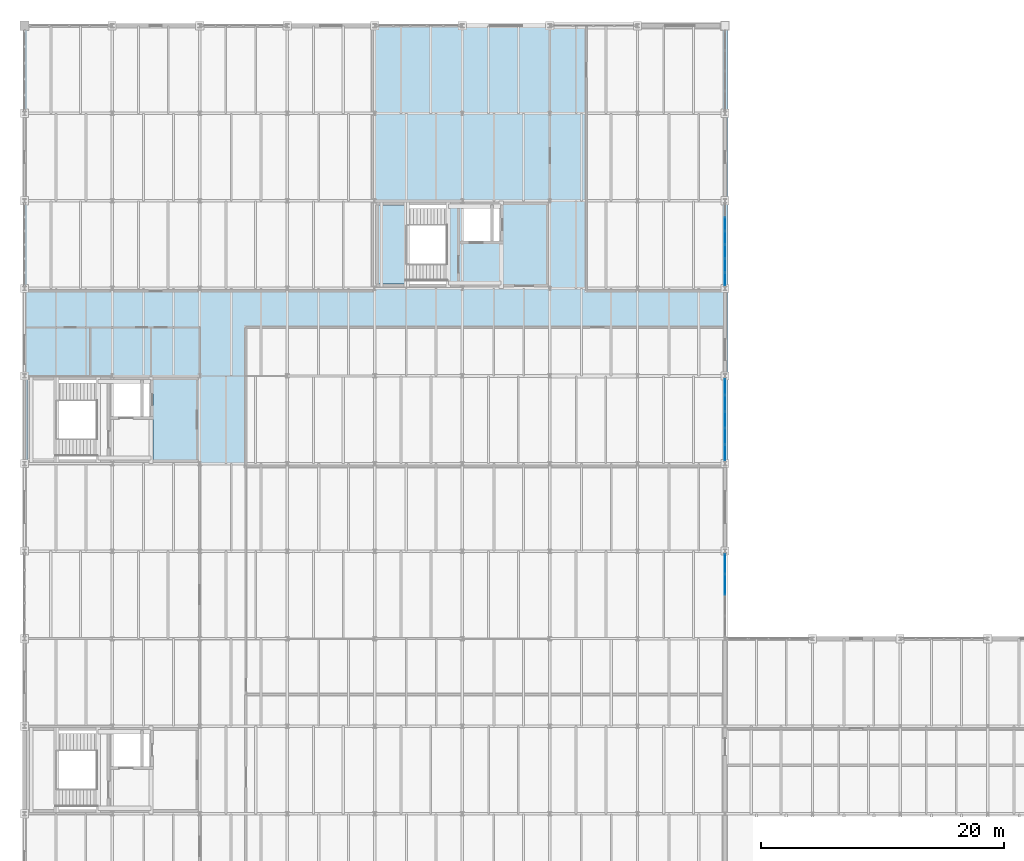
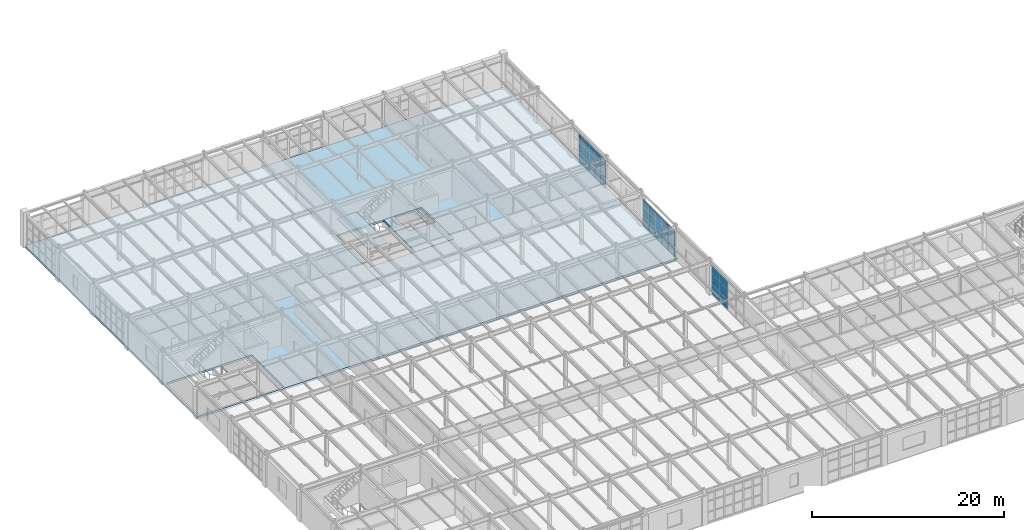
# One storey, part 110 of 137: 36 plates, 4 slabs, 4 elements without a shape of their own.
"""IFC4 building model written with IfcOpenShell, lengths in metres."""

from ifc_helpers import new_model, si_unit, direction, frame, origin, origin_2d, place, context, subcontext, project, spatial, polyline, rectangle, outline, extrude, material, layer, layer_set, type_object, element, aggregate, save


model = new_model("IFC4")

# Units and contexts
model_context = context("Model", 3, precision=1e-05, world=origin(), true_north=direction((0.0, 1.0)))
body_context = subcontext(model_context, "Body", "Model", "MODEL_VIEW")
ifc_project = project(units=[si_unit("LENGTHUNIT", "METRE"), si_unit("AREAUNIT", "SQUARE_METRE"), si_unit("VOLUMEUNIT", "CUBIC_METRE"), si_unit("PLANEANGLEUNIT", "RADIAN"), si_unit("MASSUNIT", "GRAM", prefix="KILO")], contexts=[model_context])

# Site, building, storey
site_placement = place(None, origin())
site = spatial("IfcSite", under=ifc_project, at=site_placement, CompositionType="ELEMENT")
building_placement = place(site_placement, origin())
building = spatial("IfcBuilding", under=site, at=building_placement, Name="Kemerveld Promenade Tramway Depot", CompositionType="ELEMENT")
storey_placement = place(building_placement, frame((0.0, 0.0, 5.39990234375)))
storey = spatial("IfcBuildingStorey", under=building, at=storey_placement, Name="L01", CompositionType="ELEMENT", Elevation=5.39990234375)

# Curtain wall, plates
ifc_material_1 = material(Name="Bronze anodised aluminium and solar glass", Category="aluminium")
ifc_layer_1 = layer(ifc_material_1, 0.199951171875)
ifc_layer_set_1 = layer_set([ifc_layer_1], Name="CW-SYS-10")
curtain_wall_type_1 = type_object("IfcCurtainWallType", Name="CW-SYS-10", PredefinedType="USERDEFINED", material=ifc_layer_set_1)
curtain_wall_1_placement = place(storey_placement, origin())
curtain_wall_1 = element("IfcCurtainWall", 1, at=curtain_wall_1_placement, inside=storey, type_object=curtain_wall_type_1, Name="CW-L01-V5E-07", ObjectType="GLAZED_CURTAIN_WALL", PredefinedType="USERDEFINED")
ifc_material_2 = material(Name="Solar-control laminated double glazing", Category="glass")
ifc_layer_2 = layer(ifc_material_2, 0.028076171875)
ifc_layer_set_2 = layer_set([ifc_layer_2], Name="CW-PNL-02")
plate_type_1 = type_object("IfcPlateType", Name="CW-PNL-02", PredefinedType="CURTAIN_PANEL", material=ifc_layer_set_2)
plate_1_placement = place(storey_placement, frame((57.60009765625, 34.939453125, 0.06494140625), z_axis=(0.0, 0.0, 1.0), x_axis=(0.0, -1.0, 0.0)))
plate_1 = element("IfcPlate", 2, at=plate_1_placement, type_object=plate_type_1, Name="CW10 panel 1.1", PredefinedType="CURTAIN_PANEL", context=body_context, shape_type="SweptSolid", body=[
    extrude(rectangle(XDim=1.60400390625, YDim=0.028076171875, at=origin_2d()), origin(), (0.0, 0.0, 1.0), 1.198486328125),
])
plate_2_placement = place(storey_placement, frame((57.60009765625, 34.939453125, 1.32861328125), z_axis=(0.0, 0.0, 1.0), x_axis=(0.0, -1.0, 0.0)))
plate_2 = element("IfcPlate", 3, at=plate_2_placement, type_object=plate_type_1, Name="CW10 panel 1.2", PredefinedType="CURTAIN_PANEL", context=body_context, shape_type="SweptSolid", body=[
    extrude(rectangle(XDim=1.60400390625, YDim=0.028076171875, at=origin_2d()), origin(), (0.0, 0.0, 1.0), 1.304931640625),
])
plate_3_placement = place(storey_placement, frame((57.60009765625, 34.939453125, 2.698486328125), z_axis=(0.0, 0.0, 1.0), x_axis=(0.0, -1.0, 0.0)))
plate_3 = element("IfcPlate", 4, at=plate_3_placement, type_object=plate_type_1, Name="CW10 panel 1.3", PredefinedType="CURTAIN_PANEL", context=body_context, shape_type="SweptSolid", body=[
    extrude(rectangle(XDim=1.60400390625, YDim=0.028076171875, at=origin_2d()), origin(), (0.0, 0.0, 1.0), 0.93994140625),
])
plate_4_placement = place(storey_placement, frame((57.60009765625, 33.24169921875, 0.06494140625), z_axis=(0.0, 0.0, 1.0), x_axis=(0.0, -1.0, 0.0)))
plate_4 = element("IfcPlate", 5, at=plate_4_placement, type_object=plate_type_1, Name="CW10 panel 2.1", PredefinedType="CURTAIN_PANEL", context=body_context, shape_type="SweptSolid", body=[
    extrude(rectangle(XDim=1.6416015625, YDim=0.028076171875, at=origin_2d()), origin(), (0.0, 0.0, 1.0), 1.198486328125),
])
plate_5_placement = place(storey_placement, frame((57.60009765625, 33.24169921875, 1.32861328125), z_axis=(0.0, 0.0, 1.0), x_axis=(0.0, -1.0, 0.0)))
plate_5 = element("IfcPlate", 6, at=plate_5_placement, type_object=plate_type_1, Name="CW10 panel 2.2", PredefinedType="CURTAIN_PANEL", context=body_context, shape_type="SweptSolid", body=[
    extrude(rectangle(XDim=1.6416015625, YDim=0.028076171875, at=origin_2d()), origin(), (0.0, 0.0, 1.0), 1.304931640625),
])
plate_6_placement = place(storey_placement, frame((57.60009765625, 33.24169921875, 2.698486328125), z_axis=(0.0, 0.0, 1.0), x_axis=(0.0, -1.0, 0.0)))
plate_6 = element("IfcPlate", 7, at=plate_6_placement, type_object=plate_type_1, Name="CW10 panel 2.3", PredefinedType="CURTAIN_PANEL", context=body_context, shape_type="SweptSolid", body=[
    extrude(rectangle(XDim=1.6416015625, YDim=0.028076171875, at=origin_2d()), origin(), (0.0, 0.0, 1.0), 0.93994140625),
])
aggregate(curtain_wall_1, [plate_1, plate_2, plate_3, plate_4, plate_5, plate_6])

ifc_layer_3 = layer(ifc_material_1, 0.199951171875)
ifc_layer_set_3 = layer_set([ifc_layer_3], Name="CW-SYS-06")
curtain_wall_type_2 = type_object("IfcCurtainWallType", Name="CW-SYS-06", PredefinedType="USERDEFINED", material=ifc_layer_set_3)
curtain_wall_2_placement = place(storey_placement, origin())
curtain_wall_2 = element("IfcCurtainWall", 8, at=curtain_wall_2_placement, inside=storey, type_object=curtain_wall_type_2, Name="CW-L01-V5E-03", ObjectType="GLAZED_CURTAIN_WALL", PredefinedType="USERDEFINED")
ifc_layer_4 = layer(ifc_material_2, 0.02587890625)
ifc_layer_set_4 = layer_set([ifc_layer_4], Name="CW-PNL-06")
plate_type_2 = type_object("IfcPlateType", Name="CW-PNL-06", PredefinedType="CURTAIN_PANEL", material=ifc_layer_set_4)
plate_7_placement = place(storey_placement, frame((57.60009765625, 62.908203125, 0.06494140625), z_axis=(0.0, 0.0, 1.0), x_axis=(0.0, -1.0, 0.0)))
plate_7 = element("IfcPlate", 9, at=plate_7_placement, type_object=plate_type_2, Name="CW06 panel 2.1", PredefinedType="CURTAIN_PANEL", context=body_context, shape_type="SweptSolid", body=[
    extrude(rectangle(XDim=1.063720703125, YDim=0.02587890625, at=origin_2d()), origin(), (0.0, 0.0, 1.0), 1.198486328125),
])
plate_8_placement = place(storey_placement, frame((57.60009765625, 62.908203125, 1.32861328125), z_axis=(0.0, 0.0, 1.0), x_axis=(0.0, -1.0, 0.0)))
plate_8 = element("IfcPlate", 10, at=plate_8_placement, type_object=plate_type_2, Name="CW06 panel 2.2", PredefinedType="CURTAIN_PANEL", context=body_context, shape_type="SweptSolid", body=[
    extrude(rectangle(XDim=1.063720703125, YDim=0.02587890625, at=origin_2d()), origin(), (0.0, 0.0, 1.0), 1.304931640625),
])
plate_9_placement = place(storey_placement, frame((57.60009765625, 62.908203125, 2.698486328125), z_axis=(0.0, 0.0, 1.0), x_axis=(0.0, -1.0, 0.0)))
plate_9 = element("IfcPlate", 11, at=plate_9_placement, type_object=plate_type_2, Name="CW06 panel 2.3", PredefinedType="CURTAIN_PANEL", context=body_context, shape_type="SweptSolid", body=[
    extrude(rectangle(XDim=1.063720703125, YDim=0.02587890625, at=origin_2d()), origin(), (0.0, 0.0, 1.0), 0.93994140625),
])
plate_10_placement = place(storey_placement, frame((57.60009765625, 61.76953125, 0.06494140625), z_axis=(0.0, 0.0, 1.0), x_axis=(0.0, -1.0, 0.0)))
plate_10 = element("IfcPlate", 12, at=plate_10_placement, type_object=plate_type_2, Name="CW06 panel 3.1", PredefinedType="CURTAIN_PANEL", context=body_context, shape_type="SweptSolid", body=[
    extrude(rectangle(XDim=1.063720703125, YDim=0.02587890625, at=origin_2d()), origin(), (0.0, 0.0, 1.0), 1.198486328125),
])
plate_11_placement = place(storey_placement, frame((57.60009765625, 61.76953125, 1.32861328125), z_axis=(0.0, 0.0, 1.0), x_axis=(0.0, -1.0, 0.0)))
plate_11 = element("IfcPlate", 13, at=plate_11_placement, type_object=plate_type_2, Name="CW06 panel 3.2", PredefinedType="CURTAIN_PANEL", context=body_context, shape_type="SweptSolid", body=[
    extrude(rectangle(XDim=1.063720703125, YDim=0.02587890625, at=origin_2d()), origin(), (0.0, 0.0, 1.0), 1.304931640625),
])
plate_12_placement = place(storey_placement, frame((57.60009765625, 61.76953125, 2.698486328125), z_axis=(0.0, 0.0, 1.0), x_axis=(0.0, -1.0, 0.0)))
plate_12 = element("IfcPlate", 14, at=plate_12_placement, type_object=plate_type_2, Name="CW06 panel 3.3", PredefinedType="CURTAIN_PANEL", context=body_context, shape_type="SweptSolid", body=[
    extrude(rectangle(XDim=1.063720703125, YDim=0.02587890625, at=origin_2d()), origin(), (0.0, 0.0, 1.0), 0.93994140625),
])
plate_13_placement = place(storey_placement, frame((57.60009765625, 60.630615234375, 0.06494140625), z_axis=(0.0, 0.0, 1.0), x_axis=(0.0, -1.0, 0.0)))
plate_13 = element("IfcPlate", 15, at=plate_13_placement, type_object=plate_type_2, Name="CW06 panel 4.1", PredefinedType="CURTAIN_PANEL", context=body_context, shape_type="SweptSolid", body=[
    extrude(rectangle(XDim=1.063720703125, YDim=0.02587890625, at=origin_2d()), origin(), (0.0, 0.0, 1.0), 1.198486328125),
])
plate_14_placement = place(storey_placement, frame((57.60009765625, 60.630615234375, 1.32861328125), z_axis=(0.0, 0.0, 1.0), x_axis=(0.0, -1.0, 0.0)))
plate_14 = element("IfcPlate", 16, at=plate_14_placement, type_object=plate_type_2, Name="CW06 panel 4.2", PredefinedType="CURTAIN_PANEL", context=body_context, shape_type="SweptSolid", body=[
    extrude(rectangle(XDim=1.063720703125, YDim=0.02587890625, at=origin_2d()), origin(), (0.0, 0.0, 1.0), 1.304931640625),
])
plate_15_placement = place(storey_placement, frame((57.60009765625, 60.630615234375, 2.698486328125), z_axis=(0.0, 0.0, 1.0), x_axis=(0.0, -1.0, 0.0)))
plate_15 = element("IfcPlate", 17, at=plate_15_placement, type_object=plate_type_2, Name="CW06 panel 4.3", PredefinedType="CURTAIN_PANEL", context=body_context, shape_type="SweptSolid", body=[
    extrude(rectangle(XDim=1.063720703125, YDim=0.02587890625, at=origin_2d()), origin(), (0.0, 0.0, 1.0), 0.93994140625),
])
plate_16_placement = place(storey_placement, frame((57.60009765625, 59.49169921875, 0.06494140625), z_axis=(0.0, 0.0, 1.0), x_axis=(0.0, -1.0, 0.0)))
plate_16 = element("IfcPlate", 18, at=plate_16_placement, type_object=plate_type_2, Name="CW06 panel 5.1", PredefinedType="CURTAIN_PANEL", context=body_context, shape_type="SweptSolid", body=[
    extrude(rectangle(XDim=1.063720703125, YDim=0.02587890625, at=origin_2d()), origin(), (0.0, 0.0, 1.0), 1.198486328125),
])
plate_17_placement = place(storey_placement, frame((57.60009765625, 59.49169921875, 1.32861328125), z_axis=(0.0, 0.0, 1.0), x_axis=(0.0, -1.0, 0.0)))
plate_17 = element("IfcPlate", 19, at=plate_17_placement, type_object=plate_type_2, Name="CW06 panel 5.2", PredefinedType="CURTAIN_PANEL", context=body_context, shape_type="SweptSolid", body=[
    extrude(rectangle(XDim=1.063720703125, YDim=0.02587890625, at=origin_2d()), origin(), (0.0, 0.0, 1.0), 1.304931640625),
])
plate_18_placement = place(storey_placement, frame((57.60009765625, 59.49169921875, 2.698486328125), z_axis=(0.0, 0.0, 1.0), x_axis=(0.0, -1.0, 0.0)))
plate_18 = element("IfcPlate", 20, at=plate_18_placement, type_object=plate_type_2, Name="CW06 panel 5.3", PredefinedType="CURTAIN_PANEL", context=body_context, shape_type="SweptSolid", body=[
    extrude(rectangle(XDim=1.063720703125, YDim=0.02587890625, at=origin_2d()), origin(), (0.0, 0.0, 1.0), 0.93994140625),
])
plate_19_placement = place(storey_placement, frame((57.60009765625, 58.37158203125, 0.06494140625), z_axis=(0.0, 0.0, 1.0), x_axis=(0.0, -1.0, 0.0)))
plate_19 = element("IfcPlate", 21, at=plate_19_placement, type_object=plate_type_2, Name="CW06 panel 6.1", PredefinedType="CURTAIN_PANEL", context=body_context, shape_type="SweptSolid", body=[
    extrude(rectangle(XDim=1.0263671875, YDim=0.02587890625, at=origin_2d()), origin(), (0.0, 0.0, 1.0), 1.198486328125),
])
plate_20_placement = place(storey_placement, frame((57.60009765625, 58.37158203125, 1.32861328125), z_axis=(0.0, 0.0, 1.0), x_axis=(0.0, -1.0, 0.0)))
plate_20 = element("IfcPlate", 22, at=plate_20_placement, type_object=plate_type_2, Name="CW06 panel 6.2", PredefinedType="CURTAIN_PANEL", context=body_context, shape_type="SweptSolid", body=[
    extrude(rectangle(XDim=1.0263671875, YDim=0.02587890625, at=origin_2d()), origin(), (0.0, 0.0, 1.0), 1.304931640625),
])
plate_21_placement = place(storey_placement, frame((57.60009765625, 58.37158203125, 2.698486328125), z_axis=(0.0, 0.0, 1.0), x_axis=(0.0, -1.0, 0.0)))
plate_21 = element("IfcPlate", 23, at=plate_21_placement, type_object=plate_type_2, Name="CW06 panel 6.3", PredefinedType="CURTAIN_PANEL", context=body_context, shape_type="SweptSolid", body=[
    extrude(rectangle(XDim=1.0263671875, YDim=0.02587890625, at=origin_2d()), origin(), (0.0, 0.0, 1.0), 0.93994140625),
])
aggregate(curtain_wall_2, [plate_7, plate_8, plate_9, plate_10, plate_11, plate_12, plate_13, plate_14, plate_15, plate_16, plate_17, plate_18, plate_19, plate_20, plate_21])

ifc_layer_5 = layer(ifc_material_1, 0.199951171875)
ifc_layer_set_5 = layer_set([ifc_layer_5], Name="CW-SYS-08")
curtain_wall_type_3 = type_object("IfcCurtainWallType", Name="CW-SYS-08", PredefinedType="USERDEFINED", material=ifc_layer_set_5)
curtain_wall_3_placement = place(storey_placement, origin())
curtain_wall_3 = element("IfcCurtainWall", 24, at=curtain_wall_3_placement, inside=storey, type_object=curtain_wall_type_3, Name="CW-L01-V5E-05", ObjectType="GLAZED_CURTAIN_WALL", PredefinedType="USERDEFINED")
ifc_layer_6 = layer(ifc_material_2, 0.028076171875)
ifc_layer_set_6 = layer_set([ifc_layer_6], Name="CW-PNL-08")
plate_type_3 = type_object("IfcPlateType", Name="CW-PNL-08", PredefinedType="CURTAIN_PANEL", material=ifc_layer_set_6)
plate_22_placement = place(storey_placement, frame((57.60009765625, 49.514404296875, 0.06494140625), z_axis=(0.0, 0.0, 1.0), x_axis=(0.0, -1.0, 0.0)))
plate_22 = element("IfcPlate", 25, at=plate_22_placement, type_object=plate_type_3, Name="CW08 panel 1.1", PredefinedType="CURTAIN_PANEL", context=body_context, shape_type="SweptSolid", body=[
    extrude(rectangle(XDim=1.254150390625, YDim=0.028076171875, at=origin_2d()), origin(), (0.0, 0.0, 1.0), 1.119384765625),
])
plate_23_placement = place(storey_placement, frame((57.60009765625, 49.514404296875, 1.24951171875), z_axis=(0.0, 0.0, 1.0), x_axis=(0.0, -1.0, 0.0)))
plate_23 = element("IfcPlate", 26, at=plate_23_placement, type_object=plate_type_3, Name="CW08 panel 1.2", PredefinedType="CURTAIN_PANEL", context=body_context, shape_type="SweptSolid", body=[
    extrude(rectangle(XDim=1.254150390625, YDim=0.028076171875, at=origin_2d()), origin(), (0.0, 0.0, 1.0), 1.221923828125),
])
plate_24_placement = place(storey_placement, frame((57.60009765625, 49.514404296875, 2.53662109375), z_axis=(0.0, 0.0, 1.0), x_axis=(0.0, -1.0, 0.0)))
plate_24 = element("IfcPlate", 27, at=plate_24_placement, type_object=plate_type_3, Name="CW08 panel 1.3", PredefinedType="CURTAIN_PANEL", context=body_context, shape_type="SweptSolid", body=[
    extrude(rectangle(XDim=1.254150390625, YDim=0.028076171875, at=origin_2d()), origin(), (0.0, 0.0, 1.0), 0.876220703125),
])
plate_25_placement = place(storey_placement, frame((57.60009765625, 48.16650390625, 0.06494140625), z_axis=(0.0, 0.0, 1.0), x_axis=(0.0, -1.0, 0.0)))
plate_25 = element("IfcPlate", 28, at=plate_25_placement, type_object=plate_type_3, Name="CW08 panel 2.1", PredefinedType="CURTAIN_PANEL", context=body_context, shape_type="SweptSolid", body=[
    extrude(rectangle(XDim=1.29150390625, YDim=0.028076171875, at=origin_2d()), origin(), (0.0, 0.0, 1.0), 1.119384765625),
])
plate_26_placement = place(storey_placement, frame((57.60009765625, 48.16650390625, 1.24951171875), z_axis=(0.0, 0.0, 1.0), x_axis=(0.0, -1.0, 0.0)))
plate_26 = element("IfcPlate", 29, at=plate_26_placement, type_object=plate_type_3, Name="CW08 panel 2.2", PredefinedType="CURTAIN_PANEL", context=body_context, shape_type="SweptSolid", body=[
    extrude(rectangle(XDim=1.29150390625, YDim=0.028076171875, at=origin_2d()), origin(), (0.0, 0.0, 1.0), 1.221923828125),
])
plate_27_placement = place(storey_placement, frame((57.60009765625, 48.16650390625, 2.53662109375), z_axis=(0.0, 0.0, 1.0), x_axis=(0.0, -1.0, 0.0)))
plate_27 = element("IfcPlate", 30, at=plate_27_placement, type_object=plate_type_3, Name="CW08 panel 2.3", PredefinedType="CURTAIN_PANEL", context=body_context, shape_type="SweptSolid", body=[
    extrude(rectangle(XDim=1.29150390625, YDim=0.028076171875, at=origin_2d()), origin(), (0.0, 0.0, 1.0), 0.876220703125),
])
plate_28_placement = place(storey_placement, frame((57.60009765625, 46.800048828125, 0.06494140625), z_axis=(0.0, 0.0, 1.0), x_axis=(0.0, -1.0, 0.0)))
plate_28 = element("IfcPlate", 31, at=plate_28_placement, type_object=plate_type_3, Name="CW08 panel 3.1", PredefinedType="CURTAIN_PANEL", context=body_context, shape_type="SweptSolid", body=[
    extrude(rectangle(XDim=1.29150390625, YDim=0.028076171875, at=origin_2d()), origin(), (0.0, 0.0, 1.0), 1.119384765625),
])
plate_29_placement = place(storey_placement, frame((57.60009765625, 46.800048828125, 1.24951171875), z_axis=(0.0, 0.0, 1.0), x_axis=(0.0, -1.0, 0.0)))
plate_29 = element("IfcPlate", 32, at=plate_29_placement, type_object=plate_type_3, Name="CW08 panel 3.2", PredefinedType="CURTAIN_PANEL", context=body_context, shape_type="SweptSolid", body=[
    extrude(rectangle(XDim=1.29150390625, YDim=0.028076171875, at=origin_2d()), origin(), (0.0, 0.0, 1.0), 1.221923828125),
])
plate_30_placement = place(storey_placement, frame((57.60009765625, 46.800048828125, 2.53662109375), z_axis=(0.0, 0.0, 1.0), x_axis=(0.0, -1.0, 0.0)))
plate_30 = element("IfcPlate", 33, at=plate_30_placement, type_object=plate_type_3, Name="CW08 panel 3.3", PredefinedType="CURTAIN_PANEL", context=body_context, shape_type="SweptSolid", body=[
    extrude(rectangle(XDim=1.29150390625, YDim=0.028076171875, at=origin_2d()), origin(), (0.0, 0.0, 1.0), 0.876220703125),
])
plate_31_placement = place(storey_placement, frame((57.60009765625, 45.433349609375, 0.06494140625), z_axis=(0.0, 0.0, 1.0), x_axis=(0.0, -1.0, 0.0)))
plate_31 = element("IfcPlate", 34, at=plate_31_placement, type_object=plate_type_3, Name="CW08 panel 4.1", PredefinedType="CURTAIN_PANEL", context=body_context, shape_type="SweptSolid", body=[
    extrude(rectangle(XDim=1.29150390625, YDim=0.028076171875, at=origin_2d()), origin(), (0.0, 0.0, 1.0), 1.119384765625),
])
plate_32_placement = place(storey_placement, frame((57.60009765625, 45.433349609375, 1.24951171875), z_axis=(0.0, 0.0, 1.0), x_axis=(0.0, -1.0, 0.0)))
plate_32 = element("IfcPlate", 35, at=plate_32_placement, type_object=plate_type_3, Name="CW08 panel 4.2", PredefinedType="CURTAIN_PANEL", context=body_context, shape_type="SweptSolid", body=[
    extrude(rectangle(XDim=1.29150390625, YDim=0.028076171875, at=origin_2d()), origin(), (0.0, 0.0, 1.0), 1.221923828125),
])
plate_33_placement = place(storey_placement, frame((57.60009765625, 45.433349609375, 2.53662109375), z_axis=(0.0, 0.0, 1.0), x_axis=(0.0, -1.0, 0.0)))
plate_33 = element("IfcPlate", 36, at=plate_33_placement, type_object=plate_type_3, Name="CW08 panel 4.3", PredefinedType="CURTAIN_PANEL", context=body_context, shape_type="SweptSolid", body=[
    extrude(rectangle(XDim=1.29150390625, YDim=0.028076171875, at=origin_2d()), origin(), (0.0, 0.0, 1.0), 0.876220703125),
])
plate_34_placement = place(storey_placement, frame((57.60009765625, 44.08544921875, 0.06494140625), z_axis=(0.0, 0.0, 1.0), x_axis=(0.0, -1.0, 0.0)))
plate_34 = element("IfcPlate", 37, at=plate_34_placement, type_object=plate_type_3, Name="CW08 panel 5.1", PredefinedType="CURTAIN_PANEL", context=body_context, shape_type="SweptSolid", body=[
    extrude(rectangle(XDim=1.254150390625, YDim=0.028076171875, at=origin_2d()), origin(), (0.0, 0.0, 1.0), 1.119384765625),
])
plate_35_placement = place(storey_placement, frame((57.60009765625, 44.08544921875, 1.24951171875), z_axis=(0.0, 0.0, 1.0), x_axis=(0.0, -1.0, 0.0)))
plate_35 = element("IfcPlate", 38, at=plate_35_placement, type_object=plate_type_3, Name="CW08 panel 5.2", PredefinedType="CURTAIN_PANEL", context=body_context, shape_type="SweptSolid", body=[
    extrude(rectangle(XDim=1.254150390625, YDim=0.028076171875, at=origin_2d()), origin(), (0.0, 0.0, 1.0), 1.221923828125),
])
plate_36_placement = place(storey_placement, frame((57.60009765625, 44.08544921875, 2.53662109375), z_axis=(0.0, 0.0, 1.0), x_axis=(0.0, -1.0, 0.0)))
plate_36 = element("IfcPlate", 39, at=plate_36_placement, type_object=plate_type_3, Name="CW08 panel 5.3", PredefinedType="CURTAIN_PANEL", context=body_context, shape_type="SweptSolid", body=[
    extrude(rectangle(XDim=1.254150390625, YDim=0.028076171875, at=origin_2d()), origin(), (0.0, 0.0, 1.0), 0.876220703125),
])
aggregate(curtain_wall_3, [plate_22, plate_23, plate_24, plate_25, plate_26, plate_27, plate_28, plate_29, plate_30, plate_31, plate_32, plate_33, plate_34, plate_35, plate_36])

# Slabs
ifc_material_3 = material(Name="Concrete C40/50", Category="concrete")
ifc_layer_7 = layer(ifc_material_3, 0.219970703125)
ifc_layer_set_7 = layer_set([ifc_layer_7], Name="SL-CORE-220")
slab_type_1 = type_object("IfcSlabType", Name="SL-CORE-220", PredefinedType="FLOOR", material=ifc_layer_set_7)
slab_1_placement = place(storey_placement, frame((0.0, 0.0, -0.219970703125)))
element("IfcSlab", 40, at=slab_1_placement, inside=storey, type_object=slab_type_1, Name="SLB-CORE-C3-L01", PredefinedType="FLOOR", context=body_context, shape_type="SweptSolid", body=[
    extrude(outline(polyline([(34.719970703125, 57.85009765625), (39.35009765625, 57.85009765625), (39.35009765625, 64.550048828125), (34.719970703125, 64.550048828125), (34.719970703125, 57.85009765625)]), holes=[polyline([(36.0, 61.47998046875), (38.35009765625, 61.47998046875), (38.35009765625, 64.47998046875), (36.0, 64.47998046875), (36.0, 61.47998046875)]), polyline([(38.550048828125, 61.47998046875), (39.179931640625, 61.47998046875), (39.179931640625, 64.47998046875), (38.550048828125, 64.47998046875), (38.550048828125, 61.47998046875)])]), origin(), (0.0, 0.0, 1.0), 0.219970703125),
])
ifc_material_4 = material(Name="Concrete C35/45", Category="concrete")
ifc_layer_8 = layer(ifc_material_4, 0.25)
ifc_layer_set_8 = layer_set([ifc_layer_8], Name="SL-FL02")
slab_type_2 = type_object("IfcSlabType", Name="SL-FL02", PredefinedType="FLOOR", material=ifc_layer_set_8)
slab_2_placement = place(storey_placement, frame((0.0, 0.0, -0.25)))
element("IfcSlab", 41, at=slab_2_placement, inside=storey, type_object=slab_type_2, Name="SLB-L01-V5C", PredefinedType="FLOOR", context=body_context, shape_type="SweptSolid", body=[
    extrude(outline(polyline([(0.0, 43.199951171875), (28.800048828125, 43.199951171875), (28.800048828125, 79.199951171875), (0.0, 79.199951171875), (0.0, 43.199951171875)]), holes=[polyline([(0.25, 43.449951171875), (10.550048828125, 43.449951171875), (10.550048828125, 50.14990234375), (0.25, 50.14990234375), (0.25, 43.449951171875)])]), origin(), (0.0, 0.0, 1.0), 0.25),
])
slab_3_placement = place(storey_placement, frame((0.0, 0.0, -0.25)))
element("IfcSlab", 42, at=slab_3_placement, inside=storey, type_object=slab_type_2, Name="SLB-L01-V5D", PredefinedType="FLOOR", context=body_context, shape_type="SweptSolid", body=[
    extrude(outline(polyline([(28.800048828125, 43.199951171875), (57.800048828125, 43.199951171875), (57.800048828125, 79.199951171875), (28.800048828125, 79.199951171875), (28.800048828125, 43.199951171875)]), holes=[polyline([(29.050048828125, 57.85009765625), (39.35009765625, 57.85009765625), (39.35009765625, 64.550048828125), (29.050048828125, 64.550048828125), (29.050048828125, 57.85009765625)])]), origin(), (0.0, 0.0, 1.0), 0.25),
])

# Stair, slab
stair_type = type_object("IfcStairType", Name="STR-HT-NARROW", PredefinedType="HALF_TURN_STAIR", material=ifc_material_3)
stair_placement = place(storey_placement, origin())
stair = element("IfcStair", 43, at=stair_placement, inside=storey, type_object=stair_type, Name="ST-03-L01", PredefinedType="HALF_TURN_STAIR")
ifc_layer_9 = layer(ifc_material_3, 0.179931640625)
ifc_layer_set_9 = layer_set([ifc_layer_9], Name="SL-LND-180")
slab_type_3 = type_object("IfcSlabType", Name="SL-LND-180", PredefinedType="LANDING", material=ifc_layer_set_9)
slab_4_placement = place(storey_placement, frame((0.0, 0.0, 2.070068359375)))
slab_4 = element("IfcSlab", 44, at=slab_4_placement, type_object=slab_type_3, Name="ST-03-L01 landing 1", PredefinedType="LANDING", context=body_context, shape_type="SweptSolid", body=[
    extrude(outline(polyline([(29.080078125, 57.9599609375), (31.3798828125, 57.9599609375), (31.3798828125, 64.43994140625), (29.080078125, 64.43994140625), (29.080078125, 57.9599609375)])), origin(), (0.0, 0.0, 1.0), 0.179931640625),
])
aggregate(stair, [slab_4])

save(model, "model.ifc")
